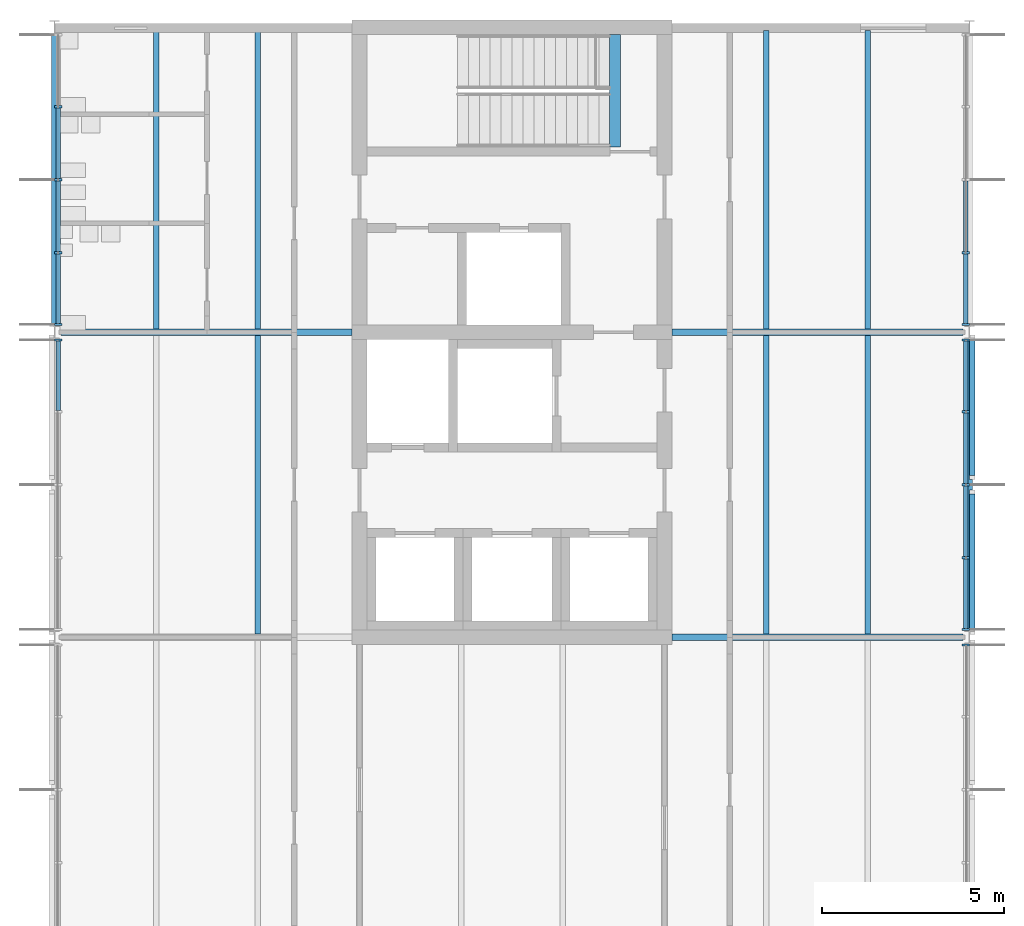
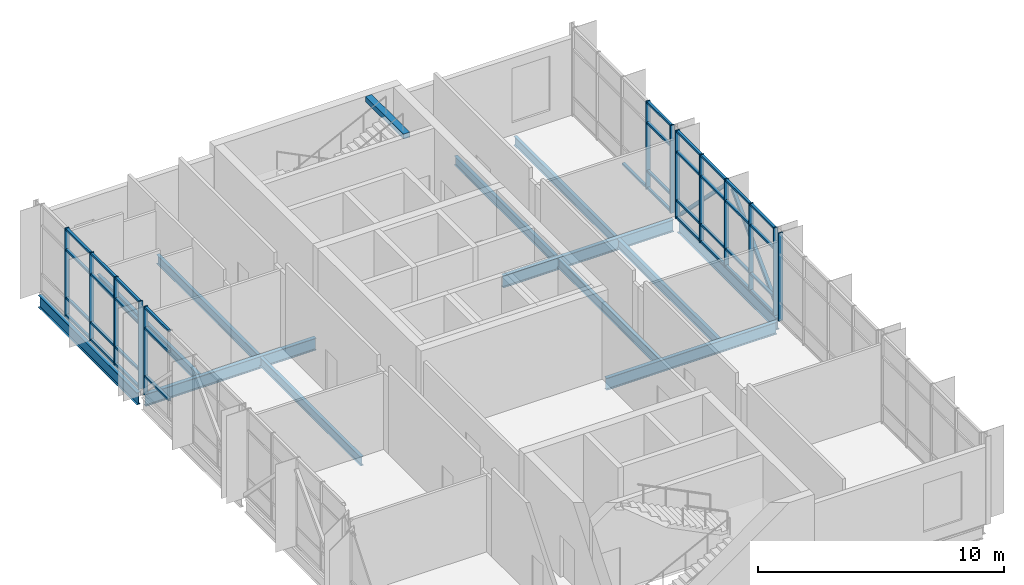
# One storey, part 5 of 17: 51 members, 13 beams, 5 elements without a shape of their own.
"""IFC4 building model written with IfcOpenShell, lengths in metres."""

from ifc_helpers import new_model, si_unit, direction, frame, origin, origin_2d, place, context, subcontext, project, spatial, rectangle, hollow_rectangle, i_section, extrude, material, material_profile, profile_set, type_object, element, aggregate, save


model = new_model("IFC4")

# Units and contexts
model_context = context("Model", 3, precision=1e-05, world=origin(), true_north=direction((0.0, 1.0)))
body_context = subcontext(model_context, "Body", "Model", "MODEL_VIEW")
ifc_project = project(units=[si_unit("LENGTHUNIT", "METRE"), si_unit("AREAUNIT", "SQUARE_METRE"), si_unit("VOLUMEUNIT", "CUBIC_METRE"), si_unit("PLANEANGLEUNIT", "RADIAN"), si_unit("MASSUNIT", "GRAM", prefix="KILO")], contexts=[model_context])

# Site, building, storey
site_placement = place(None, origin())
site = spatial("IfcSite", under=ifc_project, at=site_placement, CompositionType="ELEMENT")
building_placement = place(site_placement, origin())
building = spatial("IfcBuilding", under=site, at=building_placement, Name="Hlaing Beacon Police Headquarters", CompositionType="ELEMENT")
storey_placement = place(building_placement, frame((0.0, 0.0, 36.89990234375)))
storey = spatial("IfcBuildingStorey", under=building, at=storey_placement, Name="L08", CompositionType="ELEMENT", Elevation=36.89990234375)

# Members
ifc_material_1 = material(Name="Steel ASTM A500 Grade C", Category="steel")
ifc_material_profile_1 = material_profile(ifc_material_1, hollow_rectangle(XDim=0.15234375, YDim=0.15234375, WallThickness=0.009521484375, at=origin_2d()), Name="HSS6x6x3/8")
ifc_profile_set_1 = profile_set([ifc_material_profile_1], Name="Steel ASTM A500 Grade C")
member_type_1 = type_object("IfcMemberType", Name="Chevron brace HSS6x6x3/8", PredefinedType="BRACE", material=ifc_profile_set_1)
for number, where, z_axis, x_axis, name in (
    (1, (126.080078125, 50.530029296875, 0.05419921875), (0.0, 0.70410207141, 0.710098776958), (-1.0, 0.0, 0.0), "STR-BR-L08-R7a"),
    (2, (126.080078125, 58.669921875, 0.05419921875), (0.0, -0.70410207141, 0.710098776958), (1.0, 0.0, 0.0), "STR-BR-L08-R7b"),
):
    element("IfcMember", number, at=place(storey_placement, frame(where, z_axis=z_axis, x_axis=x_axis)), inside=storey, type_object=member_type_1, Name=name, PredefinedType="BRACE", context=body_context, shape_type="SweptSolid", body=[
        extrude(hollow_rectangle(XDim=0.15234375, YDim=0.15234375, WallThickness=0.009521484375, at=origin_2d()), origin(), (0.0, 0.0, 1.0), 5.49609375),
    ])

# Beams
ifc_material_2 = material(Name="Steel ASTM A992 Grade 50", Category="steel")
ifc_material_profile_2 = material_profile(ifc_material_2, i_section(OverallWidth=0.177978515625, OverallDepth=0.599365234375, WebThickness=0.010009765625, FlangeThickness=0.012939453125, FilletRadius=0.012939453125, at=origin_2d()), Name="W24x55")
ifc_profile_set_2 = profile_set([ifc_material_profile_2], Name="Steel ASTM A992 Grade 50")
beam_type_1 = type_object("IfcBeamType", Name="Girder W24x55", PredefinedType="BEAM", material=ifc_profile_set_2)
for number, where, z_axis, x_axis, name in (
    (3, (117.800048828125, 50.39990234375, -0.4296875), (1.0, 0.0, 0.0), (0.0, 1.0, 0.0), "STR-BM-L08-GX-Q7-R7"),
    (4, (100.985107421875, 58.800048828125, -0.4296875), (1.0, 0.0, 0.0), (0.0, 1.0, 0.0), "STR-BM-L08-GX-N8-P8"),
    (5, (117.800048828125, 58.800048828125, -0.4296875), (1.0, 0.0, 0.0), (0.0, 1.0, 0.0), "STR-BM-L08-GX-Q8-R8"),
):
    element("IfcBeam", number, at=place(storey_placement, frame(where, z_axis=z_axis, x_axis=x_axis)), inside=storey, type_object=beam_type_1, Name=name, PredefinedType="BEAM", context=body_context, shape_type="SweptSolid", body=[
        extrude(i_section(OverallWidth=0.177978515625, OverallDepth=0.599365234375, WebThickness=0.010009765625, FlangeThickness=0.012939453125, FilletRadius=0.012939453125, at=origin_2d()), origin(), (0.0, 0.0, 1.0), 8.014892578125),
    ])
beam_1_placement = place(storey_placement, frame((100.800048828125, 58.97998046875, -0.4296875), z_axis=(0.0, 1.0, 0.0), x_axis=(-1.0, 0.0, 0.0)))
element("IfcBeam", 6, at=beam_1_placement, inside=storey, type_object=beam_type_1, Name="STR-BM-L08-GY-N8-N9", PredefinedType="BEAM", context=body_context, shape_type="SweptSolid", body=[
    extrude(i_section(OverallWidth=0.177978515625, OverallDepth=0.599365234375, WebThickness=0.010009765625, FlangeThickness=0.012939453125, FilletRadius=0.012939453125, at=origin_2d()), origin(), (0.0, 0.0, 1.0), 8.0400390625),
])
ifc_material_3 = material(Name="Steel ASTM A992 Grade 50", Category="steel")
ifc_material_profile_3 = material_profile(ifc_material_3, i_section(OverallWidth=0.1787109375, OverallDepth=0.60205078125, WebThickness=0.010986328125, FlangeThickness=0.014892578125, FilletRadius=0.0126953125, at=origin_2d()), Name="W24x62")
ifc_profile_set_3 = profile_set([ifc_material_profile_3], Name="Steel ASTM A992 Grade 50")
beam_type_2 = type_object("IfcBeamType", Name="Girder W24x62", PredefinedType="BEAM", material=ifc_profile_set_3)
beam_2_placement = place(storey_placement, frame((126.0, 50.580078125, -0.430908203125), z_axis=(0.0, 1.0, 0.0), x_axis=(-1.0, 0.0, 0.0)))
element("IfcBeam", 7, at=beam_2_placement, inside=storey, type_object=beam_type_2, Name="STR-BM-L08-GY-R7-R8", PredefinedType="BEAM", context=body_context, shape_type="SweptSolid", body=[
    extrude(i_section(OverallWidth=0.1787109375, OverallDepth=0.60205078125, WebThickness=0.010986328125, FlangeThickness=0.014892578125, FilletRadius=0.0126953125, at=origin_2d()), origin(), (0.0, 0.0, 1.0), 8.0400390625),
])

# Curtain wall, member
ifc_material_4 = material(Name="Aluminium frame with solar control glazing", Category="aluminium")
curtain_wall_type = type_object("IfcCurtainWallType", Name="Unitised curtain wall 8.04 x 4.37", PredefinedType="NOTDEFINED", material=ifc_material_4)
curtain_wall_1_placement = place(storey_placement, origin())
curtain_wall_1 = element("IfcCurtainWall", 8, at=curtain_wall_1_placement, inside=storey, type_object=curtain_wall_type, Name="ENV-CW-L08-E002", PredefinedType="NOTDEFINED")
ifc_material_5 = material(Name="Aluminium", Category="aluminium")
ifc_material_profile_4 = material_profile(ifc_material_5, rectangle(XDim=0.199951171875, YDim=0.06005859375, at=origin_2d()), Name="Mullion 60x200")
ifc_profile_set_4 = profile_set([ifc_material_profile_4], Name="Aluminium")
member_type_2 = type_object("IfcMemberType", Name="Mullion 60x200", PredefinedType="MULLION", material=ifc_profile_set_4)
member_1_placement = place(storey_placement, frame((125.89990234375, 50.1884765625, 0.0), z_axis=(0.0, 0.0, 1.0), x_axis=(-1.0, 0.0, 0.0)))
member_1 = element("IfcMember", 9, at=member_1_placement, type_object=member_type_2, Name="CW-L08-E002 mullion 5", PredefinedType="MULLION", context=body_context, shape_type="SweptSolid", body=[
    extrude(rectangle(XDim=0.199951171875, YDim=0.06005859375, at=origin_2d()), origin(), (0.0, 0.0, 1.0), 4.3701171875),
])
aggregate(curtain_wall_1, [member_1])

# Curtain wall, members
curtain_wall_2_placement = place(storey_placement, origin())
curtain_wall_2 = element("IfcCurtainWall", 10, at=curtain_wall_2_placement, inside=storey, type_object=curtain_wall_type, Name="ENV-CW-L08-E003", PredefinedType="NOTDEFINED")
member_2_placement = place(storey_placement, frame((125.89990234375, 50.611572265625, 0.0), z_axis=(0.0, 0.0, 1.0), x_axis=(-1.0, 0.0, 0.0)))
member_2 = element("IfcMember", 11, at=member_2_placement, type_object=member_type_2, Name="CW-L08-E003 mullion 1", PredefinedType="MULLION", context=body_context, shape_type="SweptSolid", body=[
    extrude(rectangle(XDim=0.199951171875, YDim=0.06005859375, at=origin_2d()), origin(), (0.0, 0.0, 1.0), 4.3701171875),
])
member_3_placement = place(storey_placement, frame((125.89990234375, 52.5908203125, 0.0), z_axis=(0.0, 0.0, 1.0), x_axis=(-1.0, 0.0, 0.0)))
member_3 = element("IfcMember", 12, at=member_3_placement, type_object=member_type_2, Name="CW-L08-E003 mullion 2", PredefinedType="MULLION", context=body_context, shape_type="SweptSolid", body=[
    extrude(rectangle(XDim=0.199951171875, YDim=0.06005859375, at=origin_2d()), origin(), (0.0, 0.0, 1.0), 4.3701171875),
])
member_4_placement = place(storey_placement, frame((125.89990234375, 54.60009765625, 0.0), z_axis=(0.0, 0.0, 1.0), x_axis=(-1.0, 0.0, 0.0)))
member_4 = element("IfcMember", 13, at=member_4_placement, type_object=member_type_2, Name="CW-L08-E003 mullion 3", PredefinedType="MULLION", context=body_context, shape_type="SweptSolid", body=[
    extrude(rectangle(XDim=0.199951171875, YDim=0.06005859375, at=origin_2d()), origin(), (0.0, 0.0, 1.0), 4.3701171875),
])
member_5_placement = place(storey_placement, frame((125.89990234375, 56.609130859375, 0.0), z_axis=(0.0, 0.0, 1.0), x_axis=(-1.0, 0.0, 0.0)))
member_5 = element("IfcMember", 14, at=member_5_placement, type_object=member_type_2, Name="CW-L08-E003 mullion 4", PredefinedType="MULLION", context=body_context, shape_type="SweptSolid", body=[
    extrude(rectangle(XDim=0.199951171875, YDim=0.06005859375, at=origin_2d()), origin(), (0.0, 0.0, 1.0), 4.3701171875),
])
member_6_placement = place(storey_placement, frame((125.89990234375, 58.58837890625, 0.0), z_axis=(0.0, 0.0, 1.0), x_axis=(-1.0, 0.0, 0.0)))
member_6 = element("IfcMember", 15, at=member_6_placement, type_object=member_type_2, Name="CW-L08-E003 mullion 5", PredefinedType="MULLION", context=body_context, shape_type="SweptSolid", body=[
    extrude(rectangle(XDim=0.199951171875, YDim=0.06005859375, at=origin_2d()), origin(), (0.0, 0.0, 1.0), 4.3701171875),
])

curtain_wall_3_placement = place(storey_placement, origin())
curtain_wall_3 = element("IfcCurtainWall", 16, at=curtain_wall_3_placement, inside=storey, type_object=curtain_wall_type, Name="ENV-CW-L08-E004", PredefinedType="NOTDEFINED")
member_7_placement = place(storey_placement, frame((125.89990234375, 59.01171875, 0.0), z_axis=(0.0, 0.0, 1.0), x_axis=(-1.0, 0.0, 0.0)))
member_7 = element("IfcMember", 17, at=member_7_placement, type_object=member_type_2, Name="CW-L08-E004 mullion 1", PredefinedType="MULLION", context=body_context, shape_type="SweptSolid", body=[
    extrude(rectangle(XDim=0.199951171875, YDim=0.06005859375, at=origin_2d()), origin(), (0.0, 0.0, 1.0), 4.3701171875),
])
member_8_placement = place(storey_placement, frame((125.89990234375, 60.9921875, 0.0), z_axis=(0.0, 0.0, 1.0), x_axis=(-1.0, 0.0, 0.0)))
member_8 = element("IfcMember", 18, at=member_8_placement, type_object=member_type_2, Name="CW-L08-E004 mullion 2", PredefinedType="MULLION", context=body_context, shape_type="SweptSolid", body=[
    extrude(rectangle(XDim=0.199951171875, YDim=0.06005859375, at=origin_2d()), origin(), (0.0, 0.0, 1.0), 4.3701171875),
])

curtain_wall_4_placement = place(storey_placement, origin())
curtain_wall_4 = element("IfcCurtainWall", 19, at=curtain_wall_4_placement, inside=storey, type_object=curtain_wall_type, Name="ENV-CW-L08-W005", PredefinedType="NOTDEFINED")
member_9_placement = place(storey_placement, frame((100.89990234375, 65.012939453125, 0.0), z_axis=(0.0, 0.0, 1.0), x_axis=(1.0, 0.0, 0.0)))
member_9 = element("IfcMember", 20, at=member_9_placement, type_object=member_type_2, Name="CW-L08-W005 mullion 2", PredefinedType="MULLION", context=body_context, shape_type="SweptSolid", body=[
    extrude(rectangle(XDim=0.199951171875, YDim=0.06005859375, at=origin_2d()), origin(), (0.0, 0.0, 1.0), 4.3701171875),
])
member_10_placement = place(storey_placement, frame((100.89990234375, 63.00244140625, 0.0), z_axis=(0.0, 0.0, 1.0), x_axis=(1.0, 0.0, 0.0)))
member_10 = element("IfcMember", 21, at=member_10_placement, type_object=member_type_2, Name="CW-L08-W005 mullion 3", PredefinedType="MULLION", context=body_context, shape_type="SweptSolid", body=[
    extrude(rectangle(XDim=0.199951171875, YDim=0.06005859375, at=origin_2d()), origin(), (0.0, 0.0, 1.0), 4.3701171875),
])
member_11_placement = place(storey_placement, frame((100.89990234375, 60.9921875, 0.0), z_axis=(0.0, 0.0, 1.0), x_axis=(1.0, 0.0, 0.0)))
member_11 = element("IfcMember", 22, at=member_11_placement, type_object=member_type_2, Name="CW-L08-W005 mullion 4", PredefinedType="MULLION", context=body_context, shape_type="SweptSolid", body=[
    extrude(rectangle(XDim=0.199951171875, YDim=0.06005859375, at=origin_2d()), origin(), (0.0, 0.0, 1.0), 4.3701171875),
])
member_12_placement = place(storey_placement, frame((100.89990234375, 59.01171875, 0.0), z_axis=(0.0, 0.0, 1.0), x_axis=(1.0, 0.0, 0.0)))
member_12 = element("IfcMember", 23, at=member_12_placement, type_object=member_type_2, Name="CW-L08-W005 mullion 5", PredefinedType="MULLION", context=body_context, shape_type="SweptSolid", body=[
    extrude(rectangle(XDim=0.199951171875, YDim=0.06005859375, at=origin_2d()), origin(), (0.0, 0.0, 1.0), 4.3701171875),
])

# Curtain wall, member
curtain_wall_5_placement = place(storey_placement, origin())
curtain_wall_5 = element("IfcCurtainWall", 24, at=curtain_wall_5_placement, inside=storey, type_object=curtain_wall_type, Name="ENV-CW-L08-W006", PredefinedType="NOTDEFINED")
member_13_placement = place(storey_placement, frame((100.89990234375, 58.58837890625, 0.0), z_axis=(0.0, 0.0, 1.0), x_axis=(1.0, 0.0, 0.0)))
member_13 = element("IfcMember", 25, at=member_13_placement, type_object=member_type_2, Name="CW-L08-W006 mullion 1", PredefinedType="MULLION", context=body_context, shape_type="SweptSolid", body=[
    extrude(rectangle(XDim=0.199951171875, YDim=0.06005859375, at=origin_2d()), origin(), (0.0, 0.0, 1.0), 4.3701171875),
])

# Beams
ifc_material_6 = material(Name="Steel ASTM A992 Grade 50", Category="steel")
ifc_material_profile_5 = material_profile(ifc_material_6, i_section(OverallWidth=0.15234375, OverallDepth=0.449462890625, WebThickness=0.007568359375, FlangeThickness=0.0107421875, FilletRadius=0.01025390625, at=origin_2d()), Name="W18x35")
ifc_profile_set_5 = profile_set([ifc_material_profile_5], Name="Steel ASTM A992 Grade 50")
beam_type_3 = type_object("IfcBeamType", Name="Secondary beam W18x35", PredefinedType="BEAM", material=ifc_profile_set_5)
beam_3_placement = place(storey_placement, frame((106.39990234375, 50.489013671875, -0.354736328125), z_axis=(0.0, 1.0, 0.0), x_axis=(-1.0, 0.0, 0.0)))
element("IfcBeam", 26, at=beam_3_placement, inside=storey, type_object=beam_type_3, Name="STR-BM-L08-SB-N7-y2", PredefinedType="BEAM", context=body_context, shape_type="SweptSolid", body=[
    extrude(i_section(OverallWidth=0.15234375, OverallDepth=0.449462890625, WebThickness=0.007568359375, FlangeThickness=0.0107421875, FilletRadius=0.01025390625, at=origin_2d()), origin(), (0.0, 0.0, 1.0), 8.221923828125),
])
for number, where, z_axis, x_axis, name in (
    (27, (103.60009765625, 58.888916015625, -0.354736328125), (0.0, 1.0, 0.0), (-1.0, 0.0, 0.0), "STR-BM-L08-SB-N8-y1"),
    (28, (106.39990234375, 58.888916015625, -0.354736328125), (0.0, 1.0, 0.0), (-1.0, 0.0, 0.0), "STR-BM-L08-SB-N8-y2"),
):
    element("IfcBeam", number, at=place(storey_placement, frame(where, z_axis=z_axis, x_axis=x_axis)), inside=storey, type_object=beam_type_3, Name=name, PredefinedType="BEAM", context=body_context, shape_type="SweptSolid", body=[
        extrude(i_section(OverallWidth=0.15234375, OverallDepth=0.449462890625, WebThickness=0.007568359375, FlangeThickness=0.0107421875, FilletRadius=0.01025390625, at=origin_2d()), origin(), (0.0, 0.0, 1.0), 8.22216796875),
    ])
for number, where, z_axis, x_axis, name in (
    (29, (120.39990234375, 50.489013671875, -0.354736328125), (0.0, 1.0, 0.0), (-1.0, 0.0, 0.0), "STR-BM-L08-SB-Q7-y1"),
    (30, (123.199951171875, 50.489013671875, -0.354736328125), (0.0, 1.0, 0.0), (-1.0, 0.0, 0.0), "STR-BM-L08-SB-Q7-y2"),
):
    element("IfcBeam", number, at=place(storey_placement, frame(where, z_axis=z_axis, x_axis=x_axis)), inside=storey, type_object=beam_type_3, Name=name, PredefinedType="BEAM", context=body_context, shape_type="SweptSolid", body=[
        extrude(i_section(OverallWidth=0.15234375, OverallDepth=0.449462890625, WebThickness=0.007568359375, FlangeThickness=0.0107421875, FilletRadius=0.01025390625, at=origin_2d()), origin(), (0.0, 0.0, 1.0), 8.221923828125),
    ])
for number, where, z_axis, x_axis, name in (
    (31, (120.39990234375, 58.888916015625, -0.354736328125), (0.0, 1.0, 0.0), (-1.0, 0.0, 0.0), "STR-BM-L08-SB-Q8-y1"),
    (32, (123.199951171875, 58.888916015625, -0.354736328125), (0.0, 1.0, 0.0), (-1.0, 0.0, 0.0), "STR-BM-L08-SB-Q8-y2"),
):
    element("IfcBeam", number, at=place(storey_placement, frame(where, z_axis=z_axis, x_axis=x_axis)), inside=storey, type_object=beam_type_3, Name=name, PredefinedType="BEAM", context=body_context, shape_type="SweptSolid", body=[
        extrude(i_section(OverallWidth=0.15234375, OverallDepth=0.449462890625, WebThickness=0.007568359375, FlangeThickness=0.0107421875, FilletRadius=0.01025390625, at=origin_2d()), origin(), (0.0, 0.0, 1.0), 8.22216796875),
    ])
ifc_material_7 = material(Name="Concrete C40/50", Category="concrete")
ifc_material_profile_6 = material_profile(ifc_material_7, rectangle(XDim=0.300048828125, YDim=0.25, at=origin_2d()), Name="Stair arrival beam 300x250")
ifc_profile_set_6 = profile_set([ifc_material_profile_6], Name="Concrete C40/50")
beam_type_4 = type_object("IfcBeamType", Name="Stair arrival beam 300x250", PredefinedType="BEAM", material=ifc_profile_set_6)
beam_4_placement = place(storey_placement, frame((116.239990234375, 67.0, 4.2451171875), z_axis=(0.0, -1.0, 0.0), x_axis=(1.0, 0.0, 0.0)))
element("IfcBeam", 33, at=beam_4_placement, inside=storey, type_object=beam_type_4, Name="Stair arrival beam ST-M", PredefinedType="BEAM", context=body_context, shape_type="SweptSolid", body=[
    extrude(rectangle(XDim=0.300048828125, YDim=0.25, at=origin_2d()), origin(), (0.0, 0.0, 1.0), 3.10009765625),
])

# Member
ifc_material_8 = material(Name="Aluminium", Category="aluminium")
ifc_material_profile_7 = material_profile(ifc_material_8, rectangle(XDim=0.1201171875, YDim=0.10009765625, at=origin_2d()), Name="Transom 120x100")
ifc_profile_set_7 = profile_set([ifc_material_profile_7], Name="Aluminium")
member_type_3 = type_object("IfcMemberType", Name="Transom 120x100", PredefinedType="USERDEFINED", material=ifc_profile_set_7)
member_14_placement = place(storey_placement, frame((125.89990234375, 50.6416015625, 0.050048828125), z_axis=(0.0, 1.0, 0.0), x_axis=(-1.0, 0.0, 0.0)))
member_14 = element("IfcMember", 34, at=member_14_placement, type_object=member_type_3, Name="CW-L08-E003 transom 1.1", ObjectType="TRANSOM", PredefinedType="USERDEFINED", context=body_context, shape_type="SweptSolid", body=[
    extrude(rectangle(XDim=0.1201171875, YDim=0.10009765625, at=origin_2d()), origin(), (0.0, 0.0, 1.0), 1.919189453125),
])

member_15_placement = place(storey_placement, frame((125.89990234375, 50.6416015625, 0.900146484375), z_axis=(0.0, 1.0, 0.0), x_axis=(-1.0, 0.0, 0.0)))
member_15 = element("IfcMember", 35, at=member_15_placement, type_object=member_type_3, Name="CW-L08-E003 transom 1.2", ObjectType="TRANSOM", PredefinedType="USERDEFINED", context=body_context, shape_type="SweptSolid", body=[
    extrude(rectangle(XDim=0.1201171875, YDim=0.10009765625, at=origin_2d()), origin(), (0.0, 0.0, 1.0), 1.919189453125),
])

member_16_placement = place(storey_placement, frame((125.89990234375, 50.6416015625, 3.300048828125), z_axis=(0.0, 1.0, 0.0), x_axis=(-1.0, 0.0, 0.0)))
member_16 = element("IfcMember", 36, at=member_16_placement, type_object=member_type_3, Name="CW-L08-E003 transom 1.3", ObjectType="TRANSOM", PredefinedType="USERDEFINED", context=body_context, shape_type="SweptSolid", body=[
    extrude(rectangle(XDim=0.1201171875, YDim=0.10009765625, at=origin_2d()), origin(), (0.0, 0.0, 1.0), 1.919189453125),
])

member_17_placement = place(storey_placement, frame((125.89990234375, 50.6416015625, 4.320068359375), z_axis=(0.0, 1.0, 0.0), x_axis=(-1.0, 0.0, 0.0)))
member_17 = element("IfcMember", 37, at=member_17_placement, type_object=member_type_3, Name="CW-L08-E003 transom 1.4", ObjectType="TRANSOM", PredefinedType="USERDEFINED", context=body_context, shape_type="SweptSolid", body=[
    extrude(rectangle(XDim=0.1201171875, YDim=0.10009765625, at=origin_2d()), origin(), (0.0, 0.0, 1.0), 1.919189453125),
])

member_18_placement = place(storey_placement, frame((125.89990234375, 52.620849609375, 0.050048828125), z_axis=(0.0, 1.0, 0.0), x_axis=(-1.0, 0.0, 0.0)))
member_18 = element("IfcMember", 38, at=member_18_placement, type_object=member_type_3, Name="CW-L08-E003 transom 2.1", ObjectType="TRANSOM", PredefinedType="USERDEFINED", context=body_context, shape_type="SweptSolid", body=[
    extrude(rectangle(XDim=0.1201171875, YDim=0.10009765625, at=origin_2d()), origin(), (0.0, 0.0, 1.0), 1.94921875),
])

member_19_placement = place(storey_placement, frame((125.89990234375, 52.620849609375, 0.900146484375), z_axis=(0.0, 1.0, 0.0), x_axis=(-1.0, 0.0, 0.0)))
member_19 = element("IfcMember", 39, at=member_19_placement, type_object=member_type_3, Name="CW-L08-E003 transom 2.2", ObjectType="TRANSOM", PredefinedType="USERDEFINED", context=body_context, shape_type="SweptSolid", body=[
    extrude(rectangle(XDim=0.1201171875, YDim=0.10009765625, at=origin_2d()), origin(), (0.0, 0.0, 1.0), 1.94921875),
])

member_20_placement = place(storey_placement, frame((125.89990234375, 52.620849609375, 3.300048828125), z_axis=(0.0, 1.0, 0.0), x_axis=(-1.0, 0.0, 0.0)))
member_20 = element("IfcMember", 40, at=member_20_placement, type_object=member_type_3, Name="CW-L08-E003 transom 2.3", ObjectType="TRANSOM", PredefinedType="USERDEFINED", context=body_context, shape_type="SweptSolid", body=[
    extrude(rectangle(XDim=0.1201171875, YDim=0.10009765625, at=origin_2d()), origin(), (0.0, 0.0, 1.0), 1.94921875),
])

member_21_placement = place(storey_placement, frame((125.89990234375, 52.620849609375, 4.320068359375), z_axis=(0.0, 1.0, 0.0), x_axis=(-1.0, 0.0, 0.0)))
member_21 = element("IfcMember", 41, at=member_21_placement, type_object=member_type_3, Name="CW-L08-E003 transom 2.4", ObjectType="TRANSOM", PredefinedType="USERDEFINED", context=body_context, shape_type="SweptSolid", body=[
    extrude(rectangle(XDim=0.1201171875, YDim=0.10009765625, at=origin_2d()), origin(), (0.0, 0.0, 1.0), 1.94921875),
])

member_22_placement = place(storey_placement, frame((125.89990234375, 54.6298828125, 0.050048828125), z_axis=(0.0, 1.0, 0.0), x_axis=(-1.0, 0.0, 0.0)))
member_22 = element("IfcMember", 42, at=member_22_placement, type_object=member_type_3, Name="CW-L08-E003 transom 3.1", ObjectType="TRANSOM", PredefinedType="USERDEFINED", context=body_context, shape_type="SweptSolid", body=[
    extrude(rectangle(XDim=0.1201171875, YDim=0.10009765625, at=origin_2d()), origin(), (0.0, 0.0, 1.0), 1.94921875),
])

member_23_placement = place(storey_placement, frame((125.89990234375, 54.6298828125, 0.900146484375), z_axis=(0.0, 1.0, 0.0), x_axis=(-1.0, 0.0, 0.0)))
member_23 = element("IfcMember", 43, at=member_23_placement, type_object=member_type_3, Name="CW-L08-E003 transom 3.2", ObjectType="TRANSOM", PredefinedType="USERDEFINED", context=body_context, shape_type="SweptSolid", body=[
    extrude(rectangle(XDim=0.1201171875, YDim=0.10009765625, at=origin_2d()), origin(), (0.0, 0.0, 1.0), 1.94921875),
])

member_24_placement = place(storey_placement, frame((125.89990234375, 54.6298828125, 3.300048828125), z_axis=(0.0, 1.0, 0.0), x_axis=(-1.0, 0.0, 0.0)))
member_24 = element("IfcMember", 44, at=member_24_placement, type_object=member_type_3, Name="CW-L08-E003 transom 3.3", ObjectType="TRANSOM", PredefinedType="USERDEFINED", context=body_context, shape_type="SweptSolid", body=[
    extrude(rectangle(XDim=0.1201171875, YDim=0.10009765625, at=origin_2d()), origin(), (0.0, 0.0, 1.0), 1.94921875),
])

member_25_placement = place(storey_placement, frame((125.89990234375, 54.6298828125, 4.320068359375), z_axis=(0.0, 1.0, 0.0), x_axis=(-1.0, 0.0, 0.0)))
member_25 = element("IfcMember", 45, at=member_25_placement, type_object=member_type_3, Name="CW-L08-E003 transom 3.4", ObjectType="TRANSOM", PredefinedType="USERDEFINED", context=body_context, shape_type="SweptSolid", body=[
    extrude(rectangle(XDim=0.1201171875, YDim=0.10009765625, at=origin_2d()), origin(), (0.0, 0.0, 1.0), 1.94921875),
])

member_26_placement = place(storey_placement, frame((125.89990234375, 56.63916015625, 0.050048828125), z_axis=(0.0, 1.0, 0.0), x_axis=(-1.0, 0.0, 0.0)))
member_26 = element("IfcMember", 46, at=member_26_placement, type_object=member_type_3, Name="CW-L08-E003 transom 4.1", ObjectType="TRANSOM", PredefinedType="USERDEFINED", context=body_context, shape_type="SweptSolid", body=[
    extrude(rectangle(XDim=0.1201171875, YDim=0.10009765625, at=origin_2d()), origin(), (0.0, 0.0, 1.0), 1.919189453125),
])

member_27_placement = place(storey_placement, frame((125.89990234375, 56.63916015625, 0.900146484375), z_axis=(0.0, 1.0, 0.0), x_axis=(-1.0, 0.0, 0.0)))
member_27 = element("IfcMember", 47, at=member_27_placement, type_object=member_type_3, Name="CW-L08-E003 transom 4.2", ObjectType="TRANSOM", PredefinedType="USERDEFINED", context=body_context, shape_type="SweptSolid", body=[
    extrude(rectangle(XDim=0.1201171875, YDim=0.10009765625, at=origin_2d()), origin(), (0.0, 0.0, 1.0), 1.919189453125),
])

member_28_placement = place(storey_placement, frame((125.89990234375, 56.63916015625, 3.300048828125), z_axis=(0.0, 1.0, 0.0), x_axis=(-1.0, 0.0, 0.0)))
member_28 = element("IfcMember", 48, at=member_28_placement, type_object=member_type_3, Name="CW-L08-E003 transom 4.3", ObjectType="TRANSOM", PredefinedType="USERDEFINED", context=body_context, shape_type="SweptSolid", body=[
    extrude(rectangle(XDim=0.1201171875, YDim=0.10009765625, at=origin_2d()), origin(), (0.0, 0.0, 1.0), 1.919189453125),
])

member_29_placement = place(storey_placement, frame((125.89990234375, 56.63916015625, 4.320068359375), z_axis=(0.0, 1.0, 0.0), x_axis=(-1.0, 0.0, 0.0)))
member_29 = element("IfcMember", 49, at=member_29_placement, type_object=member_type_3, Name="CW-L08-E003 transom 4.4", ObjectType="TRANSOM", PredefinedType="USERDEFINED", context=body_context, shape_type="SweptSolid", body=[
    extrude(rectangle(XDim=0.1201171875, YDim=0.10009765625, at=origin_2d()), origin(), (0.0, 0.0, 1.0), 1.919189453125),
])

aggregate(curtain_wall_2, [member_2, member_3, member_4, member_5, member_6, member_14, member_15, member_16, member_17, member_18, member_19, member_20, member_21, member_22, member_23, member_24, member_25, member_26, member_27, member_28, member_29])

member_30_placement = place(storey_placement, frame((125.89990234375, 59.04150390625, 0.050048828125), z_axis=(0.0, 1.0, 0.0), x_axis=(-1.0, 0.0, 0.0)))
member_30 = element("IfcMember", 50, at=member_30_placement, type_object=member_type_3, Name="CW-L08-E004 transom 1.1", ObjectType="TRANSOM", PredefinedType="USERDEFINED", context=body_context, shape_type="SweptSolid", body=[
    extrude(rectangle(XDim=0.1201171875, YDim=0.10009765625, at=origin_2d()), origin(), (0.0, 0.0, 1.0), 1.920654296875),
])

member_31_placement = place(storey_placement, frame((125.89990234375, 59.04150390625, 0.900146484375), z_axis=(0.0, 1.0, 0.0), x_axis=(-1.0, 0.0, 0.0)))
member_31 = element("IfcMember", 51, at=member_31_placement, type_object=member_type_3, Name="CW-L08-E004 transom 1.2", ObjectType="TRANSOM", PredefinedType="USERDEFINED", context=body_context, shape_type="SweptSolid", body=[
    extrude(rectangle(XDim=0.1201171875, YDim=0.10009765625, at=origin_2d()), origin(), (0.0, 0.0, 1.0), 1.920654296875),
])

member_32_placement = place(storey_placement, frame((125.89990234375, 59.04150390625, 3.300048828125), z_axis=(0.0, 1.0, 0.0), x_axis=(-1.0, 0.0, 0.0)))
member_32 = element("IfcMember", 52, at=member_32_placement, type_object=member_type_3, Name="CW-L08-E004 transom 1.3", ObjectType="TRANSOM", PredefinedType="USERDEFINED", context=body_context, shape_type="SweptSolid", body=[
    extrude(rectangle(XDim=0.1201171875, YDim=0.10009765625, at=origin_2d()), origin(), (0.0, 0.0, 1.0), 1.920654296875),
])

member_33_placement = place(storey_placement, frame((125.89990234375, 59.04150390625, 4.320068359375), z_axis=(0.0, 1.0, 0.0), x_axis=(-1.0, 0.0, 0.0)))
member_33 = element("IfcMember", 53, at=member_33_placement, type_object=member_type_3, Name="CW-L08-E004 transom 1.4", ObjectType="TRANSOM", PredefinedType="USERDEFINED", context=body_context, shape_type="SweptSolid", body=[
    extrude(rectangle(XDim=0.1201171875, YDim=0.10009765625, at=origin_2d()), origin(), (0.0, 0.0, 1.0), 1.920654296875),
])

member_34_placement = place(storey_placement, frame((125.89990234375, 61.02197265625, 0.050048828125), z_axis=(0.0, 1.0, 0.0), x_axis=(-1.0, 0.0, 0.0)))
member_34 = element("IfcMember", 54, at=member_34_placement, type_object=member_type_3, Name="CW-L08-E004 transom 2.1", ObjectType="TRANSOM", PredefinedType="USERDEFINED", context=body_context, shape_type="SweptSolid", body=[
    extrude(rectangle(XDim=0.1201171875, YDim=0.10009765625, at=origin_2d()), origin(), (0.0, 0.0, 1.0), 1.95068359375),
])

aggregate(curtain_wall_3, [member_7, member_8, member_30, member_31, member_32, member_33, member_34])

member_35_placement = place(storey_placement, frame((100.89990234375, 64.98291015625, 0.050048828125), z_axis=(0.0, -1.0, 0.0), x_axis=(1.0, 0.0, 0.0)))
member_35 = element("IfcMember", 55, at=member_35_placement, type_object=member_type_3, Name="CW-L08-W005 transom 2.1", ObjectType="TRANSOM", PredefinedType="USERDEFINED", context=body_context, shape_type="SweptSolid", body=[
    extrude(rectangle(XDim=0.1201171875, YDim=0.10009765625, at=origin_2d()), origin(), (0.0, 0.0, 1.0), 1.950439453125),
])

member_36_placement = place(storey_placement, frame((100.89990234375, 64.98291015625, 0.900146484375), z_axis=(0.0, -1.0, 0.0), x_axis=(1.0, 0.0, 0.0)))
member_36 = element("IfcMember", 56, at=member_36_placement, type_object=member_type_3, Name="CW-L08-W005 transom 2.2", ObjectType="TRANSOM", PredefinedType="USERDEFINED", context=body_context, shape_type="SweptSolid", body=[
    extrude(rectangle(XDim=0.1201171875, YDim=0.10009765625, at=origin_2d()), origin(), (0.0, 0.0, 1.0), 1.950439453125),
])

member_37_placement = place(storey_placement, frame((100.89990234375, 64.98291015625, 3.300048828125), z_axis=(0.0, -1.0, 0.0), x_axis=(1.0, 0.0, 0.0)))
member_37 = element("IfcMember", 57, at=member_37_placement, type_object=member_type_3, Name="CW-L08-W005 transom 2.3", ObjectType="TRANSOM", PredefinedType="USERDEFINED", context=body_context, shape_type="SweptSolid", body=[
    extrude(rectangle(XDim=0.1201171875, YDim=0.10009765625, at=origin_2d()), origin(), (0.0, 0.0, 1.0), 1.950439453125),
])

member_38_placement = place(storey_placement, frame((100.89990234375, 64.98291015625, 4.320068359375), z_axis=(0.0, -1.0, 0.0), x_axis=(1.0, 0.0, 0.0)))
member_38 = element("IfcMember", 58, at=member_38_placement, type_object=member_type_3, Name="CW-L08-W005 transom 2.4", ObjectType="TRANSOM", PredefinedType="USERDEFINED", context=body_context, shape_type="SweptSolid", body=[
    extrude(rectangle(XDim=0.1201171875, YDim=0.10009765625, at=origin_2d()), origin(), (0.0, 0.0, 1.0), 1.950439453125),
])

member_39_placement = place(storey_placement, frame((100.89990234375, 62.97265625, 0.050048828125), z_axis=(0.0, -1.0, 0.0), x_axis=(1.0, 0.0, 0.0)))
member_39 = element("IfcMember", 59, at=member_39_placement, type_object=member_type_3, Name="CW-L08-W005 transom 3.1", ObjectType="TRANSOM", PredefinedType="USERDEFINED", context=body_context, shape_type="SweptSolid", body=[
    extrude(rectangle(XDim=0.1201171875, YDim=0.10009765625, at=origin_2d()), origin(), (0.0, 0.0, 1.0), 1.95068359375),
])

member_40_placement = place(storey_placement, frame((100.89990234375, 62.97265625, 0.900146484375), z_axis=(0.0, -1.0, 0.0), x_axis=(1.0, 0.0, 0.0)))
member_40 = element("IfcMember", 60, at=member_40_placement, type_object=member_type_3, Name="CW-L08-W005 transom 3.2", ObjectType="TRANSOM", PredefinedType="USERDEFINED", context=body_context, shape_type="SweptSolid", body=[
    extrude(rectangle(XDim=0.1201171875, YDim=0.10009765625, at=origin_2d()), origin(), (0.0, 0.0, 1.0), 1.95068359375),
])

member_41_placement = place(storey_placement, frame((100.89990234375, 62.97265625, 3.300048828125), z_axis=(0.0, -1.0, 0.0), x_axis=(1.0, 0.0, 0.0)))
member_41 = element("IfcMember", 61, at=member_41_placement, type_object=member_type_3, Name="CW-L08-W005 transom 3.3", ObjectType="TRANSOM", PredefinedType="USERDEFINED", context=body_context, shape_type="SweptSolid", body=[
    extrude(rectangle(XDim=0.1201171875, YDim=0.10009765625, at=origin_2d()), origin(), (0.0, 0.0, 1.0), 1.95068359375),
])

member_42_placement = place(storey_placement, frame((100.89990234375, 62.97265625, 4.320068359375), z_axis=(0.0, -1.0, 0.0), x_axis=(1.0, 0.0, 0.0)))
member_42 = element("IfcMember", 62, at=member_42_placement, type_object=member_type_3, Name="CW-L08-W005 transom 3.4", ObjectType="TRANSOM", PredefinedType="USERDEFINED", context=body_context, shape_type="SweptSolid", body=[
    extrude(rectangle(XDim=0.1201171875, YDim=0.10009765625, at=origin_2d()), origin(), (0.0, 0.0, 1.0), 1.95068359375),
])

member_43_placement = place(storey_placement, frame((100.89990234375, 60.962158203125, 0.050048828125), z_axis=(0.0, -1.0, 0.0), x_axis=(1.0, 0.0, 0.0)))
member_43 = element("IfcMember", 63, at=member_43_placement, type_object=member_type_3, Name="CW-L08-W005 transom 4.1", ObjectType="TRANSOM", PredefinedType="USERDEFINED", context=body_context, shape_type="SweptSolid", body=[
    extrude(rectangle(XDim=0.1201171875, YDim=0.10009765625, at=origin_2d()), origin(), (0.0, 0.0, 1.0), 1.920654296875),
])

member_44_placement = place(storey_placement, frame((100.89990234375, 60.962158203125, 0.900146484375), z_axis=(0.0, -1.0, 0.0), x_axis=(1.0, 0.0, 0.0)))
member_44 = element("IfcMember", 64, at=member_44_placement, type_object=member_type_3, Name="CW-L08-W005 transom 4.2", ObjectType="TRANSOM", PredefinedType="USERDEFINED", context=body_context, shape_type="SweptSolid", body=[
    extrude(rectangle(XDim=0.1201171875, YDim=0.10009765625, at=origin_2d()), origin(), (0.0, 0.0, 1.0), 1.920654296875),
])

member_45_placement = place(storey_placement, frame((100.89990234375, 60.962158203125, 3.300048828125), z_axis=(0.0, -1.0, 0.0), x_axis=(1.0, 0.0, 0.0)))
member_45 = element("IfcMember", 65, at=member_45_placement, type_object=member_type_3, Name="CW-L08-W005 transom 4.3", ObjectType="TRANSOM", PredefinedType="USERDEFINED", context=body_context, shape_type="SweptSolid", body=[
    extrude(rectangle(XDim=0.1201171875, YDim=0.10009765625, at=origin_2d()), origin(), (0.0, 0.0, 1.0), 1.920654296875),
])

member_46_placement = place(storey_placement, frame((100.89990234375, 60.962158203125, 4.320068359375), z_axis=(0.0, -1.0, 0.0), x_axis=(1.0, 0.0, 0.0)))
member_46 = element("IfcMember", 66, at=member_46_placement, type_object=member_type_3, Name="CW-L08-W005 transom 4.4", ObjectType="TRANSOM", PredefinedType="USERDEFINED", context=body_context, shape_type="SweptSolid", body=[
    extrude(rectangle(XDim=0.1201171875, YDim=0.10009765625, at=origin_2d()), origin(), (0.0, 0.0, 1.0), 1.920654296875),
])

aggregate(curtain_wall_4, [member_9, member_10, member_11, member_12, member_35, member_36, member_37, member_38, member_39, member_40, member_41, member_42, member_43, member_44, member_45, member_46])

member_47_placement = place(storey_placement, frame((100.89990234375, 58.558349609375, 0.900146484375), z_axis=(0.0, -1.0, 0.0), x_axis=(1.0, 0.0, 0.0)))
member_47 = element("IfcMember", 67, at=member_47_placement, type_object=member_type_3, Name="CW-L08-W006 transom 1.2", ObjectType="TRANSOM", PredefinedType="USERDEFINED", context=body_context, shape_type="SweptSolid", body=[
    extrude(rectangle(XDim=0.1201171875, YDim=0.10009765625, at=origin_2d()), origin(), (0.0, 0.0, 1.0), 1.919189453125),
])

member_48_placement = place(storey_placement, frame((100.89990234375, 58.558349609375, 3.300048828125), z_axis=(0.0, -1.0, 0.0), x_axis=(1.0, 0.0, 0.0)))
member_48 = element("IfcMember", 68, at=member_48_placement, type_object=member_type_3, Name="CW-L08-W006 transom 1.3", ObjectType="TRANSOM", PredefinedType="USERDEFINED", context=body_context, shape_type="SweptSolid", body=[
    extrude(rectangle(XDim=0.1201171875, YDim=0.10009765625, at=origin_2d()), origin(), (0.0, 0.0, 1.0), 1.919189453125),
])

member_49_placement = place(storey_placement, frame((100.89990234375, 58.558349609375, 4.320068359375), z_axis=(0.0, -1.0, 0.0), x_axis=(1.0, 0.0, 0.0)))
member_49 = element("IfcMember", 69, at=member_49_placement, type_object=member_type_3, Name="CW-L08-W006 transom 1.4", ObjectType="TRANSOM", PredefinedType="USERDEFINED", context=body_context, shape_type="SweptSolid", body=[
    extrude(rectangle(XDim=0.1201171875, YDim=0.10009765625, at=origin_2d()), origin(), (0.0, 0.0, 1.0), 1.919189453125),
])

aggregate(curtain_wall_5, [member_13, member_47, member_48, member_49])

save(model, "model.ifc")
